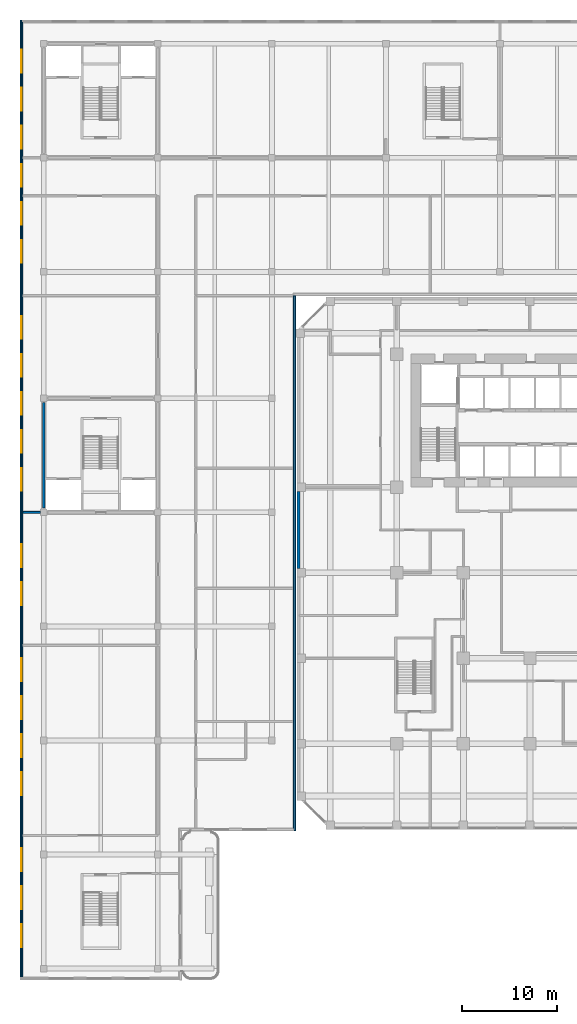
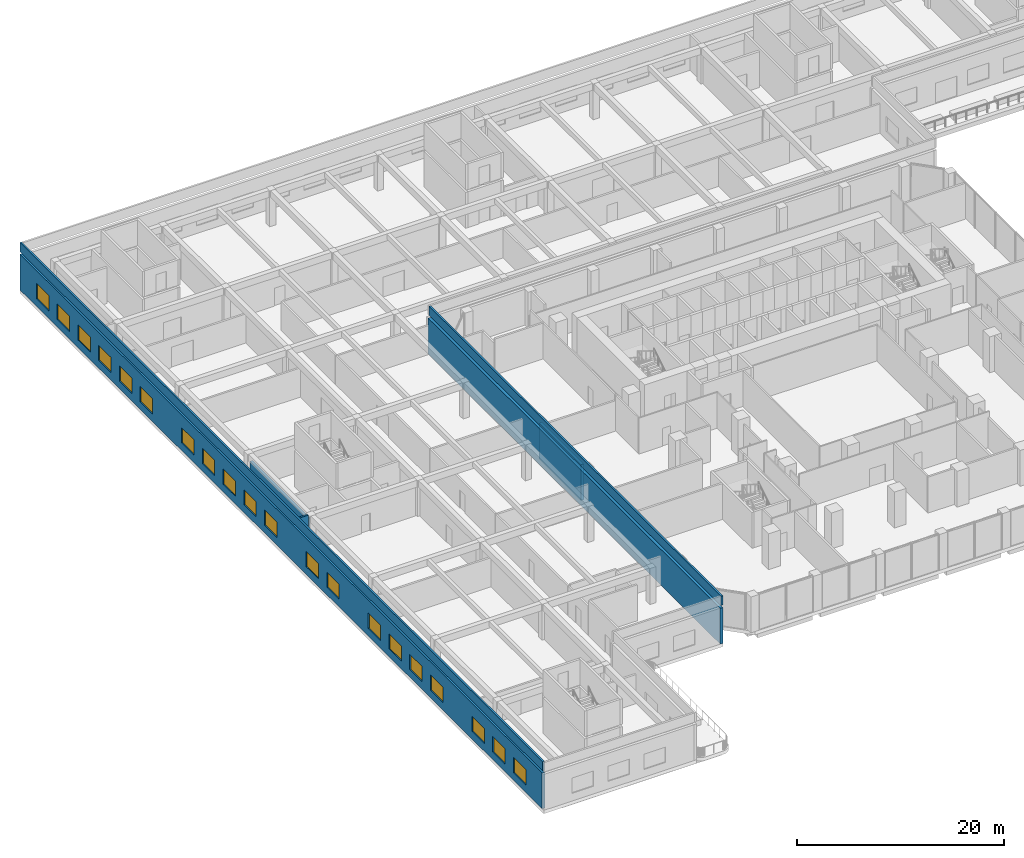
# One storey, part 15 of 35: 20 windows, 7 walls, 20 openings.
"""IFC4 building model written with IfcOpenShell, lengths in metres."""

from ifc_helpers import new_model, si_unit, direction, frame, frame_2d, origin, place, context, subcontext, project, spatial, rectangle, extrude, source, transform, mapped, material, layer, layer_set, type_object, element, fill, save


model = new_model("IFC4")

# Units and contexts
model_context = context("Model", 3, precision=1e-05, world=origin(), true_north=direction((0.0, 1.0)))
body_context = subcontext(model_context, "Body", "Model", "MODEL_VIEW")
ifc_project = project(units=[si_unit("LENGTHUNIT", "METRE"), si_unit("AREAUNIT", "SQUARE_METRE"), si_unit("VOLUMEUNIT", "CUBIC_METRE"), si_unit("PLANEANGLEUNIT", "RADIAN"), si_unit("MASSUNIT", "GRAM", prefix="KILO")], contexts=[model_context])

# Site, building, storey
site_placement = place(None, origin())
site = spatial("IfcSite", under=ifc_project, at=site_placement, CompositionType="ELEMENT")
building_placement = place(site_placement, origin())
building = spatial("IfcBuilding", under=site, at=building_placement, Name="Kilnfold Tower and Market Hall", CompositionType="ELEMENT")
storey_placement = place(building_placement, frame((0.0, 0.0, 22.5)))
storey = spatial("IfcBuildingStorey", under=building, at=storey_placement, Name="L04", CompositionType="ELEMENT", Elevation=22.5)

# Walls
ifc_material_1 = material(Name="Concrete C50/60", Category="concrete")
ifc_layer_1 = layer(ifc_material_1, 0.300048828125)
ifc_layer_set_1 = layer_set([ifc_layer_1], Name="Concrete C50/60")
wall_type_1 = type_object("IfcWallType", Name="HALL CORE WALL 300", PredefinedType="SHEAR", material=ifc_layer_set_1)
shared_shape_1 = source(origin(), body_context, "Body", "SweptSolid", [
    extrude(rectangle(XDim=11.099853515625, YDim=0.300048828125, at=frame_2d((5.5498046875, 0.0))), origin(), (0.0, 0.0, 1.0), 3.419921875),
])
wall_1_placement = place(storey_placement, frame((-54.64990234375, 5.800048828125, 0.0), z_axis=(0.0, 0.0, 1.0), x_axis=(0.0, 1.0, 0.0)))
element("IfcWall", 1, at=wall_1_placement, inside=storey, type_object=wall_type_1, Name="Core wall MH1", PredefinedType="SHEAR", context=body_context, shape_type="MappedRepresentation", body=[
    mapped(shared_shape_1, transform((0.0, 0.0, 0.0))),
])
ifc_material_2 = material(Name="Precast concrete C50/60", Category="concrete")
ifc_layer_2 = layer(ifc_material_2, 0.300048828125)
ifc_layer_set_2 = layer_set([ifc_layer_2], Name="Precast concrete C50/60")
wall_type_2 = type_object("IfcWallType", Name="PRECAST WALL 300", PredefinedType="SOLIDWALL", material=ifc_layer_set_2)
shared_shape_2 = source(origin(), body_context, "Body", "SweptSolid", [
    extrude(rectangle(XDim=8.10009765625, YDim=0.300048828125, at=frame_2d((4.050048828125, 0.0))), origin(), (0.0, 0.0, 1.0), 4.219970703125),
])
wall_2_placement = place(storey_placement, frame((-27.85009765625, 7.550048828125, 0.0), z_axis=(0.0, 0.0, 1.0), x_axis=(0.0, -1.0, 0.0)))
element("IfcWall", 2, at=wall_2_placement, inside=storey, type_object=wall_type_2, Name="Party wall L04 W", PredefinedType="SOLIDWALL", context=body_context, shape_type="MappedRepresentation", body=[
    mapped(shared_shape_2, transform((0.0, 0.0, 0.0))),
])

# Wall, openings, windows
ifc_material_3 = material(Name="Concrete blockwork", Category="masonry")
ifc_layer_3 = layer(ifc_material_3, 0.300048828125)
ifc_layer_set_3 = layer_set([ifc_layer_3], Name="Concrete blockwork")
wall_type_3 = type_object("IfcWallType", Name="HALL EXTERNAL WALL 300 EI 60", PredefinedType="SOLIDWALL", material=ifc_layer_set_3)
shared_shape_3 = source(origin(), body_context, "Body", "SweptSolid", [
    extrude(rectangle(XDim=100.699951171875, YDim=0.300048828125, at=frame_2d((50.35009765625, 0.0))), origin(), (0.0, 0.0, 1.0), 4.219970703125),
])
wall_3_placement = place(storey_placement, frame((-57.0, -43.550048828125, 0.0), z_axis=(0.0, 0.0, 1.0), x_axis=(0.0, 1.0, 0.0)))
wall_3 = element("IfcWall", 3, at=wall_3_placement, inside=storey, type_object=wall_type_3, Name="External wall MEW-L04.1", PredefinedType="SOLIDWALL", context=body_context, shape_type="MappedRepresentation", body=[
    mapped(shared_shape_3, transform((0.0, 0.0, 0.0))),
])
opening_1_placement = place(wall_3_placement, frame((3.14990234375, 0.0, 0.89990234375)))
opening_1 = element("IfcOpeningElement", 4, at=opening_1_placement, cuts=wall_3, Name="Opening MEN3", PredefinedType="OPENING", context=body_context, shape_type="SweptSolid", body=[
    extrude(rectangle(XDim=2.39990234375, YDim=1.800048828125, at=frame_2d((1.199951171875, 0.89990234375))), frame((0.0, 0.16015625, 0.0), z_axis=(0.0, -1.0, 0.0), x_axis=(1.0, 0.0, 0.0)), (0.0, 0.0, 1.0), 0.320068359375),
])
opening_2_placement = place(wall_3_placement, frame((7.14990234375, 0.0, 0.89990234375)))
opening_2 = element("IfcOpeningElement", 5, at=opening_2_placement, cuts=wall_3, Name="Opening MEN3", PredefinedType="OPENING", context=body_context, shape_type="SweptSolid", body=[
    extrude(rectangle(XDim=2.39990234375, YDim=1.800048828125, at=frame_2d((1.199951171875, 0.89990234375))), frame((0.0, 0.16015625, 0.0), z_axis=(0.0, -1.0, 0.0), x_axis=(1.0, 0.0, 0.0)), (0.0, 0.0, 1.0), 0.320068359375),
])
opening_3_placement = place(wall_3_placement, frame((11.14990234375, 0.0, 0.89990234375)))
opening_3 = element("IfcOpeningElement", 6, at=opening_3_placement, cuts=wall_3, Name="Opening MEN3", PredefinedType="OPENING", context=body_context, shape_type="SweptSolid", body=[
    extrude(rectangle(XDim=2.39990234375, YDim=1.800048828125, at=frame_2d((1.199951171875, 0.89990234375))), frame((0.0, 0.16015625, 0.0), z_axis=(0.0, -1.0, 0.0), x_axis=(1.0, 0.0, 0.0)), (0.0, 0.0, 1.0), 0.320068359375),
])
opening_4_placement = place(wall_3_placement, frame((19.14990234375, 0.0, 0.89990234375)))
opening_4 = element("IfcOpeningElement", 7, at=opening_4_placement, cuts=wall_3, Name="Opening MEN3", PredefinedType="OPENING", context=body_context, shape_type="SweptSolid", body=[
    extrude(rectangle(XDim=2.39990234375, YDim=1.800048828125, at=frame_2d((1.199951171875, 0.89990234375))), frame((0.0, 0.16015625, 0.0), z_axis=(0.0, -1.0, 0.0), x_axis=(1.0, 0.0, 0.0)), (0.0, 0.0, 1.0), 0.320068359375),
])
opening_5_placement = place(wall_3_placement, frame((23.14990234375, 0.0, 0.89990234375)))
opening_5 = element("IfcOpeningElement", 8, at=opening_5_placement, cuts=wall_3, Name="Opening MEN3", PredefinedType="OPENING", context=body_context, shape_type="SweptSolid", body=[
    extrude(rectangle(XDim=2.39990234375, YDim=1.800048828125, at=frame_2d((1.199951171875, 0.89990234375))), frame((0.0, 0.16015625, 0.0), z_axis=(0.0, -1.0, 0.0), x_axis=(1.0, 0.0, 0.0)), (0.0, 0.0, 1.0), 0.320068359375),
])
opening_6_placement = place(wall_3_placement, frame((27.14990234375, 0.0, 0.89990234375)))
opening_6 = element("IfcOpeningElement", 9, at=opening_6_placement, cuts=wall_3, Name="Opening MEN3", PredefinedType="OPENING", context=body_context, shape_type="SweptSolid", body=[
    extrude(rectangle(XDim=2.39990234375, YDim=1.800048828125, at=frame_2d((1.199951171875, 0.89990234375))), frame((0.0, 0.16015625, 0.0), z_axis=(0.0, -1.0, 0.0), x_axis=(1.0, 0.0, 0.0)), (0.0, 0.0, 1.0), 0.320068359375),
])
opening_7_placement = place(wall_3_placement, frame((31.14990234375, 0.0, 0.89990234375)))
opening_7 = element("IfcOpeningElement", 10, at=opening_7_placement, cuts=wall_3, Name="Opening MEN3", PredefinedType="OPENING", context=body_context, shape_type="SweptSolid", body=[
    extrude(rectangle(XDim=2.39990234375, YDim=1.800048828125, at=frame_2d((1.199951171875, 0.89990234375))), frame((0.0, 0.16015625, 0.0), z_axis=(0.0, -1.0, 0.0), x_axis=(1.0, 0.0, 0.0)), (0.0, 0.0, 1.0), 0.320068359375),
])
opening_8_placement = place(wall_3_placement, frame((39.14990234375, 0.0, 0.89990234375)))
opening_8 = element("IfcOpeningElement", 11, at=opening_8_placement, cuts=wall_3, Name="Opening MEN3", PredefinedType="OPENING", context=body_context, shape_type="SweptSolid", body=[
    extrude(rectangle(XDim=2.39990234375, YDim=1.800048828125, at=frame_2d((1.199951171875, 0.89990234375))), frame((0.0, 0.16015625, 0.0), z_axis=(0.0, -1.0, 0.0), x_axis=(1.0, 0.0, 0.0)), (0.0, 0.0, 1.0), 0.320068359375),
])
opening_9_placement = place(wall_3_placement, frame((43.14990234375, 0.0, 0.89990234375)))
opening_9 = element("IfcOpeningElement", 12, at=opening_9_placement, cuts=wall_3, Name="Opening MEN3", PredefinedType="OPENING", context=body_context, shape_type="SweptSolid", body=[
    extrude(rectangle(XDim=2.39990234375, YDim=1.800048828125, at=frame_2d((1.199951171875, 0.89990234375))), frame((0.0, 0.16015625, 0.0), z_axis=(0.0, -1.0, 0.0), x_axis=(1.0, 0.0, 0.0)), (0.0, 0.0, 1.0), 0.320068359375),
])
opening_10_placement = place(wall_3_placement, frame((51.14990234375, 0.0, 0.89990234375)))
opening_10 = element("IfcOpeningElement", 13, at=opening_10_placement, cuts=wall_3, Name="Opening MEN3", PredefinedType="OPENING", context=body_context, shape_type="SweptSolid", body=[
    extrude(rectangle(XDim=2.39990234375, YDim=1.800048828125, at=frame_2d((1.199951171875, 0.89990234375))), frame((0.0, 0.16015625, 0.0), z_axis=(0.0, -1.0, 0.0), x_axis=(1.0, 0.0, 0.0)), (0.0, 0.0, 1.0), 0.320068359375),
])
opening_11_placement = place(wall_3_placement, frame((55.14990234375, 0.0, 0.89990234375)))
opening_11 = element("IfcOpeningElement", 14, at=opening_11_placement, cuts=wall_3, Name="Opening MEN3", PredefinedType="OPENING", context=body_context, shape_type="SweptSolid", body=[
    extrude(rectangle(XDim=2.39990234375, YDim=1.800048828125, at=frame_2d((1.199951171875, 0.89990234375))), frame((0.0, 0.16015625, 0.0), z_axis=(0.0, -1.0, 0.0), x_axis=(1.0, 0.0, 0.0)), (0.0, 0.0, 1.0), 0.320068359375),
])
opening_12_placement = place(wall_3_placement, frame((59.14990234375, 0.0, 0.89990234375)))
opening_12 = element("IfcOpeningElement", 15, at=opening_12_placement, cuts=wall_3, Name="Opening MEN3", PredefinedType="OPENING", context=body_context, shape_type="SweptSolid", body=[
    extrude(rectangle(XDim=2.39990234375, YDim=1.800048828125, at=frame_2d((1.199951171875, 0.89990234375))), frame((0.0, 0.16015625, 0.0), z_axis=(0.0, -1.0, 0.0), x_axis=(1.0, 0.0, 0.0)), (0.0, 0.0, 1.0), 0.320068359375),
])
opening_13_placement = place(wall_3_placement, frame((63.14990234375, 0.0, 0.89990234375)))
opening_13 = element("IfcOpeningElement", 16, at=opening_13_placement, cuts=wall_3, Name="Opening MEN3", PredefinedType="OPENING", context=body_context, shape_type="SweptSolid", body=[
    extrude(rectangle(XDim=2.39990234375, YDim=1.800048828125, at=frame_2d((1.199951171875, 0.89990234375))), frame((0.0, 0.16015625, 0.0), z_axis=(0.0, -1.0, 0.0), x_axis=(1.0, 0.0, 0.0)), (0.0, 0.0, 1.0), 0.320068359375),
])
opening_14_placement = place(wall_3_placement, frame((67.14990234375, 0.0, 0.89990234375)))
opening_14 = element("IfcOpeningElement", 17, at=opening_14_placement, cuts=wall_3, Name="Opening MEN3", PredefinedType="OPENING", context=body_context, shape_type="SweptSolid", body=[
    extrude(rectangle(XDim=2.39990234375, YDim=1.800048828125, at=frame_2d((1.199951171875, 0.89990234375))), frame((0.0, 0.16015625, 0.0), z_axis=(0.0, -1.0, 0.0), x_axis=(1.0, 0.0, 0.0)), (0.0, 0.0, 1.0), 0.320068359375),
])
opening_15_placement = place(wall_3_placement, frame((75.14990234375, 0.0, 0.89990234375)))
opening_15 = element("IfcOpeningElement", 18, at=opening_15_placement, cuts=wall_3, Name="Opening MEN3", PredefinedType="OPENING", context=body_context, shape_type="SweptSolid", body=[
    extrude(rectangle(XDim=2.39990234375, YDim=1.800048828125, at=frame_2d((1.199951171875, 0.89990234375))), frame((0.0, 0.16015625, 0.0), z_axis=(0.0, -1.0, 0.0), x_axis=(1.0, 0.0, 0.0)), (0.0, 0.0, 1.0), 0.320068359375),
])
opening_16_placement = place(wall_3_placement, frame((79.14990234375, 0.0, 0.89990234375)))
opening_16 = element("IfcOpeningElement", 19, at=opening_16_placement, cuts=wall_3, Name="Opening MEN3", PredefinedType="OPENING", context=body_context, shape_type="SweptSolid", body=[
    extrude(rectangle(XDim=2.39990234375, YDim=1.800048828125, at=frame_2d((1.199951171875, 0.89990234375))), frame((0.0, 0.16015625, 0.0), z_axis=(0.0, -1.0, 0.0), x_axis=(1.0, 0.0, 0.0)), (0.0, 0.0, 1.0), 0.320068359375),
])
opening_17_placement = place(wall_3_placement, frame((83.14990234375, 0.0, 0.89990234375)))
opening_17 = element("IfcOpeningElement", 20, at=opening_17_placement, cuts=wall_3, Name="Opening MEN3", PredefinedType="OPENING", context=body_context, shape_type="SweptSolid", body=[
    extrude(rectangle(XDim=2.39990234375, YDim=1.800048828125, at=frame_2d((1.199951171875, 0.89990234375))), frame((0.0, 0.16015625, 0.0), z_axis=(0.0, -1.0, 0.0), x_axis=(1.0, 0.0, 0.0)), (0.0, 0.0, 1.0), 0.320068359375),
])
opening_18_placement = place(wall_3_placement, frame((87.14990234375, 0.0, 0.89990234375)))
opening_18 = element("IfcOpeningElement", 21, at=opening_18_placement, cuts=wall_3, Name="Opening MEN3", PredefinedType="OPENING", context=body_context, shape_type="SweptSolid", body=[
    extrude(rectangle(XDim=2.39990234375, YDim=1.800048828125, at=frame_2d((1.199951171875, 0.89990234375))), frame((0.0, 0.16015625, 0.0), z_axis=(0.0, -1.0, 0.0), x_axis=(1.0, 0.0, 0.0)), (0.0, 0.0, 1.0), 0.320068359375),
])
opening_19_placement = place(wall_3_placement, frame((91.14990234375, 0.0, 0.89990234375)))
opening_19 = element("IfcOpeningElement", 22, at=opening_19_placement, cuts=wall_3, Name="Opening MEN3", PredefinedType="OPENING", context=body_context, shape_type="SweptSolid", body=[
    extrude(rectangle(XDim=2.39990234375, YDim=1.800048828125, at=frame_2d((1.199951171875, 0.89990234375))), frame((0.0, 0.16015625, 0.0), z_axis=(0.0, -1.0, 0.0), x_axis=(1.0, 0.0, 0.0)), (0.0, 0.0, 1.0), 0.320068359375),
])
opening_20_placement = place(wall_3_placement, frame((95.14990234375, 0.0, 0.89990234375)))
opening_20 = element("IfcOpeningElement", 23, at=opening_20_placement, cuts=wall_3, Name="Opening MEN3", PredefinedType="OPENING", context=body_context, shape_type="SweptSolid", body=[
    extrude(rectangle(XDim=2.39990234375, YDim=1.800048828125, at=frame_2d((1.199951171875, 0.89990234375))), frame((0.0, 0.16015625, 0.0), z_axis=(0.0, -1.0, 0.0), x_axis=(1.0, 0.0, 0.0)), (0.0, 0.0, 1.0), 0.320068359375),
])
ifc_material_4 = material(Name="Aluminium glazing", Category="aluminium")
window_type = type_object("IfcWindowType", Name="HALL WINDOW 2400X1800", PartitioningType="SINGLE_PANEL", PredefinedType="WINDOW", material=ifc_material_4)
window_1_placement = place(opening_1_placement, origin())
window_1 = element("IfcWindow", 24, at=window_1_placement, inside=storey, type_object=window_type, Name="Window upper", OverallHeight=1.800048828125, OverallWidth=2.39990234375, PartitioningType="SINGLE_PANEL", PredefinedType="WINDOW", context=body_context, shape_type="SweptSolid", body=[
    extrude(rectangle(XDim=2.39990234375, YDim=1.800048828125, at=frame_2d((1.199951171875, 0.89990234375))), frame((0.0, 0.030029296875, 0.0), z_axis=(0.0, -1.0, 0.0), x_axis=(1.0, 0.0, 0.0)), (0.0, 0.0, 1.0), 0.06005859375),
])
fill(opening_1, window_1)
window_2_placement = place(opening_2_placement, origin())
window_2 = element("IfcWindow", 25, at=window_2_placement, inside=storey, type_object=window_type, Name="Window upper", OverallHeight=1.800048828125, OverallWidth=2.39990234375, PartitioningType="SINGLE_PANEL", PredefinedType="WINDOW", context=body_context, shape_type="SweptSolid", body=[
    extrude(rectangle(XDim=2.39990234375, YDim=1.800048828125, at=frame_2d((1.199951171875, 0.89990234375))), frame((0.0, 0.030029296875, 0.0), z_axis=(0.0, -1.0, 0.0), x_axis=(1.0, 0.0, 0.0)), (0.0, 0.0, 1.0), 0.06005859375),
])
fill(opening_2, window_2)
window_3_placement = place(opening_3_placement, origin())
window_3 = element("IfcWindow", 26, at=window_3_placement, inside=storey, type_object=window_type, Name="Window upper", OverallHeight=1.800048828125, OverallWidth=2.39990234375, PartitioningType="SINGLE_PANEL", PredefinedType="WINDOW", context=body_context, shape_type="SweptSolid", body=[
    extrude(rectangle(XDim=2.39990234375, YDim=1.800048828125, at=frame_2d((1.199951171875, 0.89990234375))), frame((0.0, 0.030029296875, 0.0), z_axis=(0.0, -1.0, 0.0), x_axis=(1.0, 0.0, 0.0)), (0.0, 0.0, 1.0), 0.06005859375),
])
fill(opening_3, window_3)
window_4_placement = place(opening_4_placement, origin())
window_4 = element("IfcWindow", 27, at=window_4_placement, inside=storey, type_object=window_type, Name="Window upper", OverallHeight=1.800048828125, OverallWidth=2.39990234375, PartitioningType="SINGLE_PANEL", PredefinedType="WINDOW", context=body_context, shape_type="SweptSolid", body=[
    extrude(rectangle(XDim=2.39990234375, YDim=1.800048828125, at=frame_2d((1.199951171875, 0.89990234375))), frame((0.0, 0.030029296875, 0.0), z_axis=(0.0, -1.0, 0.0), x_axis=(1.0, 0.0, 0.0)), (0.0, 0.0, 1.0), 0.06005859375),
])
fill(opening_4, window_4)
window_5_placement = place(opening_5_placement, origin())
window_5 = element("IfcWindow", 28, at=window_5_placement, inside=storey, type_object=window_type, Name="Window upper", OverallHeight=1.800048828125, OverallWidth=2.39990234375, PartitioningType="SINGLE_PANEL", PredefinedType="WINDOW", context=body_context, shape_type="SweptSolid", body=[
    extrude(rectangle(XDim=2.39990234375, YDim=1.800048828125, at=frame_2d((1.199951171875, 0.89990234375))), frame((0.0, 0.030029296875, 0.0), z_axis=(0.0, -1.0, 0.0), x_axis=(1.0, 0.0, 0.0)), (0.0, 0.0, 1.0), 0.06005859375),
])
fill(opening_5, window_5)
window_6_placement = place(opening_6_placement, origin())
window_6 = element("IfcWindow", 29, at=window_6_placement, inside=storey, type_object=window_type, Name="Window upper", OverallHeight=1.800048828125, OverallWidth=2.39990234375, PartitioningType="SINGLE_PANEL", PredefinedType="WINDOW", context=body_context, shape_type="SweptSolid", body=[
    extrude(rectangle(XDim=2.39990234375, YDim=1.800048828125, at=frame_2d((1.199951171875, 0.89990234375))), frame((0.0, 0.030029296875, 0.0), z_axis=(0.0, -1.0, 0.0), x_axis=(1.0, 0.0, 0.0)), (0.0, 0.0, 1.0), 0.06005859375),
])
fill(opening_6, window_6)
window_7_placement = place(opening_7_placement, origin())
window_7 = element("IfcWindow", 30, at=window_7_placement, inside=storey, type_object=window_type, Name="Window upper", OverallHeight=1.800048828125, OverallWidth=2.39990234375, PartitioningType="SINGLE_PANEL", PredefinedType="WINDOW", context=body_context, shape_type="SweptSolid", body=[
    extrude(rectangle(XDim=2.39990234375, YDim=1.800048828125, at=frame_2d((1.199951171875, 0.89990234375))), frame((0.0, 0.030029296875, 0.0), z_axis=(0.0, -1.0, 0.0), x_axis=(1.0, 0.0, 0.0)), (0.0, 0.0, 1.0), 0.06005859375),
])
fill(opening_7, window_7)
window_8_placement = place(opening_8_placement, origin())
window_8 = element("IfcWindow", 31, at=window_8_placement, inside=storey, type_object=window_type, Name="Window upper", OverallHeight=1.800048828125, OverallWidth=2.39990234375, PartitioningType="SINGLE_PANEL", PredefinedType="WINDOW", context=body_context, shape_type="SweptSolid", body=[
    extrude(rectangle(XDim=2.39990234375, YDim=1.800048828125, at=frame_2d((1.199951171875, 0.89990234375))), frame((0.0, 0.030029296875, 0.0), z_axis=(0.0, -1.0, 0.0), x_axis=(1.0, 0.0, 0.0)), (0.0, 0.0, 1.0), 0.06005859375),
])
fill(opening_8, window_8)
window_9_placement = place(opening_9_placement, origin())
window_9 = element("IfcWindow", 32, at=window_9_placement, inside=storey, type_object=window_type, Name="Window upper", OverallHeight=1.800048828125, OverallWidth=2.39990234375, PartitioningType="SINGLE_PANEL", PredefinedType="WINDOW", context=body_context, shape_type="SweptSolid", body=[
    extrude(rectangle(XDim=2.39990234375, YDim=1.800048828125, at=frame_2d((1.199951171875, 0.89990234375))), frame((0.0, 0.030029296875, 0.0), z_axis=(0.0, -1.0, 0.0), x_axis=(1.0, 0.0, 0.0)), (0.0, 0.0, 1.0), 0.06005859375),
])
fill(opening_9, window_9)
window_10_placement = place(opening_10_placement, origin())
window_10 = element("IfcWindow", 33, at=window_10_placement, inside=storey, type_object=window_type, Name="Window upper", OverallHeight=1.800048828125, OverallWidth=2.39990234375, PartitioningType="SINGLE_PANEL", PredefinedType="WINDOW", context=body_context, shape_type="SweptSolid", body=[
    extrude(rectangle(XDim=2.39990234375, YDim=1.800048828125, at=frame_2d((1.199951171875, 0.89990234375))), frame((0.0, 0.030029296875, 0.0), z_axis=(0.0, -1.0, 0.0), x_axis=(1.0, 0.0, 0.0)), (0.0, 0.0, 1.0), 0.06005859375),
])
fill(opening_10, window_10)
window_11_placement = place(opening_11_placement, origin())
window_11 = element("IfcWindow", 34, at=window_11_placement, inside=storey, type_object=window_type, Name="Window upper", OverallHeight=1.800048828125, OverallWidth=2.39990234375, PartitioningType="SINGLE_PANEL", PredefinedType="WINDOW", context=body_context, shape_type="SweptSolid", body=[
    extrude(rectangle(XDim=2.39990234375, YDim=1.800048828125, at=frame_2d((1.199951171875, 0.89990234375))), frame((0.0, 0.030029296875, 0.0), z_axis=(0.0, -1.0, 0.0), x_axis=(1.0, 0.0, 0.0)), (0.0, 0.0, 1.0), 0.06005859375),
])
fill(opening_11, window_11)
window_12_placement = place(opening_12_placement, origin())
window_12 = element("IfcWindow", 35, at=window_12_placement, inside=storey, type_object=window_type, Name="Window upper", OverallHeight=1.800048828125, OverallWidth=2.39990234375, PartitioningType="SINGLE_PANEL", PredefinedType="WINDOW", context=body_context, shape_type="SweptSolid", body=[
    extrude(rectangle(XDim=2.39990234375, YDim=1.800048828125, at=frame_2d((1.199951171875, 0.89990234375))), frame((0.0, 0.030029296875, 0.0), z_axis=(0.0, -1.0, 0.0), x_axis=(1.0, 0.0, 0.0)), (0.0, 0.0, 1.0), 0.06005859375),
])
fill(opening_12, window_12)
window_13_placement = place(opening_13_placement, origin())
window_13 = element("IfcWindow", 36, at=window_13_placement, inside=storey, type_object=window_type, Name="Window upper", OverallHeight=1.800048828125, OverallWidth=2.39990234375, PartitioningType="SINGLE_PANEL", PredefinedType="WINDOW", context=body_context, shape_type="SweptSolid", body=[
    extrude(rectangle(XDim=2.39990234375, YDim=1.800048828125, at=frame_2d((1.199951171875, 0.89990234375))), frame((0.0, 0.030029296875, 0.0), z_axis=(0.0, -1.0, 0.0), x_axis=(1.0, 0.0, 0.0)), (0.0, 0.0, 1.0), 0.06005859375),
])
fill(opening_13, window_13)
window_14_placement = place(opening_14_placement, origin())
window_14 = element("IfcWindow", 37, at=window_14_placement, inside=storey, type_object=window_type, Name="Window upper", OverallHeight=1.800048828125, OverallWidth=2.39990234375, PartitioningType="SINGLE_PANEL", PredefinedType="WINDOW", context=body_context, shape_type="SweptSolid", body=[
    extrude(rectangle(XDim=2.39990234375, YDim=1.800048828125, at=frame_2d((1.199951171875, 0.89990234375))), frame((0.0, 0.030029296875, 0.0), z_axis=(0.0, -1.0, 0.0), x_axis=(1.0, 0.0, 0.0)), (0.0, 0.0, 1.0), 0.06005859375),
])
fill(opening_14, window_14)
window_15_placement = place(opening_15_placement, origin())
window_15 = element("IfcWindow", 38, at=window_15_placement, inside=storey, type_object=window_type, Name="Window upper", OverallHeight=1.800048828125, OverallWidth=2.39990234375, PartitioningType="SINGLE_PANEL", PredefinedType="WINDOW", context=body_context, shape_type="SweptSolid", body=[
    extrude(rectangle(XDim=2.39990234375, YDim=1.800048828125, at=frame_2d((1.199951171875, 0.89990234375))), frame((0.0, 0.030029296875, 0.0), z_axis=(0.0, -1.0, 0.0), x_axis=(1.0, 0.0, 0.0)), (0.0, 0.0, 1.0), 0.06005859375),
])
fill(opening_15, window_15)
window_16_placement = place(opening_16_placement, origin())
window_16 = element("IfcWindow", 39, at=window_16_placement, inside=storey, type_object=window_type, Name="Window upper", OverallHeight=1.800048828125, OverallWidth=2.39990234375, PartitioningType="SINGLE_PANEL", PredefinedType="WINDOW", context=body_context, shape_type="SweptSolid", body=[
    extrude(rectangle(XDim=2.39990234375, YDim=1.800048828125, at=frame_2d((1.199951171875, 0.89990234375))), frame((0.0, 0.030029296875, 0.0), z_axis=(0.0, -1.0, 0.0), x_axis=(1.0, 0.0, 0.0)), (0.0, 0.0, 1.0), 0.06005859375),
])
fill(opening_16, window_16)
window_17_placement = place(opening_17_placement, origin())
window_17 = element("IfcWindow", 40, at=window_17_placement, inside=storey, type_object=window_type, Name="Window upper", OverallHeight=1.800048828125, OverallWidth=2.39990234375, PartitioningType="SINGLE_PANEL", PredefinedType="WINDOW", context=body_context, shape_type="SweptSolid", body=[
    extrude(rectangle(XDim=2.39990234375, YDim=1.800048828125, at=frame_2d((1.199951171875, 0.89990234375))), frame((0.0, 0.030029296875, 0.0), z_axis=(0.0, -1.0, 0.0), x_axis=(1.0, 0.0, 0.0)), (0.0, 0.0, 1.0), 0.06005859375),
])
fill(opening_17, window_17)
window_18_placement = place(opening_18_placement, origin())
window_18 = element("IfcWindow", 41, at=window_18_placement, inside=storey, type_object=window_type, Name="Window upper", OverallHeight=1.800048828125, OverallWidth=2.39990234375, PartitioningType="SINGLE_PANEL", PredefinedType="WINDOW", context=body_context, shape_type="SweptSolid", body=[
    extrude(rectangle(XDim=2.39990234375, YDim=1.800048828125, at=frame_2d((1.199951171875, 0.89990234375))), frame((0.0, 0.030029296875, 0.0), z_axis=(0.0, -1.0, 0.0), x_axis=(1.0, 0.0, 0.0)), (0.0, 0.0, 1.0), 0.06005859375),
])
fill(opening_18, window_18)
window_19_placement = place(opening_19_placement, origin())
window_19 = element("IfcWindow", 42, at=window_19_placement, inside=storey, type_object=window_type, Name="Window upper", OverallHeight=1.800048828125, OverallWidth=2.39990234375, PartitioningType="SINGLE_PANEL", PredefinedType="WINDOW", context=body_context, shape_type="SweptSolid", body=[
    extrude(rectangle(XDim=2.39990234375, YDim=1.800048828125, at=frame_2d((1.199951171875, 0.89990234375))), frame((0.0, 0.030029296875, 0.0), z_axis=(0.0, -1.0, 0.0), x_axis=(1.0, 0.0, 0.0)), (0.0, 0.0, 1.0), 0.06005859375),
])
fill(opening_19, window_19)
window_20_placement = place(opening_20_placement, origin())
window_20 = element("IfcWindow", 43, at=window_20_placement, inside=storey, type_object=window_type, Name="Window upper", OverallHeight=1.800048828125, OverallWidth=2.39990234375, PartitioningType="SINGLE_PANEL", PredefinedType="WINDOW", context=body_context, shape_type="SweptSolid", body=[
    extrude(rectangle(XDim=2.39990234375, YDim=1.800048828125, at=frame_2d((1.199951171875, 0.89990234375))), frame((0.0, 0.030029296875, 0.0), z_axis=(0.0, -1.0, 0.0), x_axis=(1.0, 0.0, 0.0)), (0.0, 0.0, 1.0), 0.06005859375),
])
fill(opening_20, window_20)

# Walls
ifc_material_5 = material(Name="Concrete blockwork", Category="masonry")
ifc_layer_4 = layer(ifc_material_5, 0.300048828125)
ifc_layer_set_4 = layer_set([ifc_layer_4], Name="Concrete blockwork")
wall_type_4 = type_object("IfcWallType", Name="HALL EXTERNAL WALL 300 EI 120", PredefinedType="SOLIDWALL", material=ifc_layer_set_4)
shared_shape_4 = source(origin(), body_context, "Body", "SweptSolid", [
    extrude(rectangle(XDim=56.2998046875, YDim=0.300048828125, at=frame_2d((28.14990234375, 0.0))), origin(), (0.0, 0.0, 1.0), 4.219970703125),
])
wall_4_placement = place(storey_placement, frame((-28.300048828125, 28.14990234375, 0.0), z_axis=(0.0, 0.0, 1.0), x_axis=(0.0, -1.0, 0.0)))
element("IfcWall", 44, at=wall_4_placement, inside=storey, type_object=wall_type_4, Name="Joint wall MEW-L04.7", PredefinedType="SOLIDWALL", context=body_context, shape_type="MappedRepresentation", body=[
    mapped(shared_shape_4, transform((0.0, 0.0, 0.0))),
])
ifc_material_6 = material(Name="Concrete C40/50", Category="concrete")
ifc_layer_5 = layer(ifc_material_6, 0.199951171875)
ifc_layer_set_5 = layer_set([ifc_layer_5], Name="Concrete C40/50")
wall_type_5 = type_object("IfcWallType", Name="HALL PARAPET 200", PredefinedType="PARAPET", material=ifc_layer_set_5)
shared_shape_5 = source(origin(), body_context, "Body", "SweptSolid", [
    extrude(rectangle(XDim=100.7998046875, YDim=0.199951171875, at=frame_2d((50.39990234375, 0.0))), origin(), (0.0, 0.0, 1.0), 1.10009765625),
])
wall_5_placement = place(storey_placement, frame((-57.050048828125, -43.64990234375, 4.5), z_axis=(0.0, 0.0, 1.0), x_axis=(0.0, 1.0, 0.0)))
element("IfcWall", 45, at=wall_5_placement, inside=storey, type_object=wall_type_5, Name="Roof parapet", PredefinedType="PARAPET", context=body_context, shape_type="MappedRepresentation", body=[
    mapped(shared_shape_5, transform((0.0, 0.0, 0.0))),
])
shared_shape_6 = source(origin(), body_context, "Body", "SweptSolid", [
    extrude(rectangle(XDim=56.2998046875, YDim=0.199951171875, at=frame_2d((28.14990234375, 0.0))), origin(), (0.0, 0.0, 1.0), 1.10009765625),
])
wall_6_placement = place(storey_placement, frame((-28.25, 28.14990234375, 4.5), z_axis=(0.0, 0.0, 1.0), x_axis=(0.0, -1.0, 0.0)))
element("IfcWall", 46, at=wall_6_placement, inside=storey, type_object=wall_type_5, Name="Roof parapet", PredefinedType="PARAPET", context=body_context, shape_type="MappedRepresentation", body=[
    mapped(shared_shape_6, transform((0.0, 0.0, 0.0))),
])
ifc_material_7 = material(Name="Concrete blockwork", Category="masonry")
ifc_layer_6 = layer(ifc_material_7, 0.199951171875)
ifc_layer_set_6 = layer_set([ifc_layer_6], Name="Concrete blockwork")
wall_type_6 = type_object("IfcWallType", Name="HALL PARTITION 200 EI 120", PredefinedType="PARTITIONING", material=ifc_layer_set_6)
shared_shape_7 = source(origin(), body_context, "Body", "SweptSolid", [
    extrude(rectangle(XDim=1.85009765625, YDim=0.199951171875, at=frame_2d((0.925048828125, 0.0))), origin(), (0.0, 0.0, 1.0), 4.219970703125),
])
wall_7_placement = place(storey_placement, frame((-56.85009765625, 5.35009765625, 0.0), z_axis=(0.0, 0.0, 1.0), x_axis=(1.0, 0.0, 0.0)))
element("IfcWall", 47, at=wall_7_placement, inside=storey, type_object=wall_type_6, Name="Partition W-MH-L04.3", PredefinedType="PARTITIONING", context=body_context, shape_type="MappedRepresentation", body=[
    mapped(shared_shape_7, transform((0.0, 0.0, 0.0))),
])

save(model, "model.ifc")
